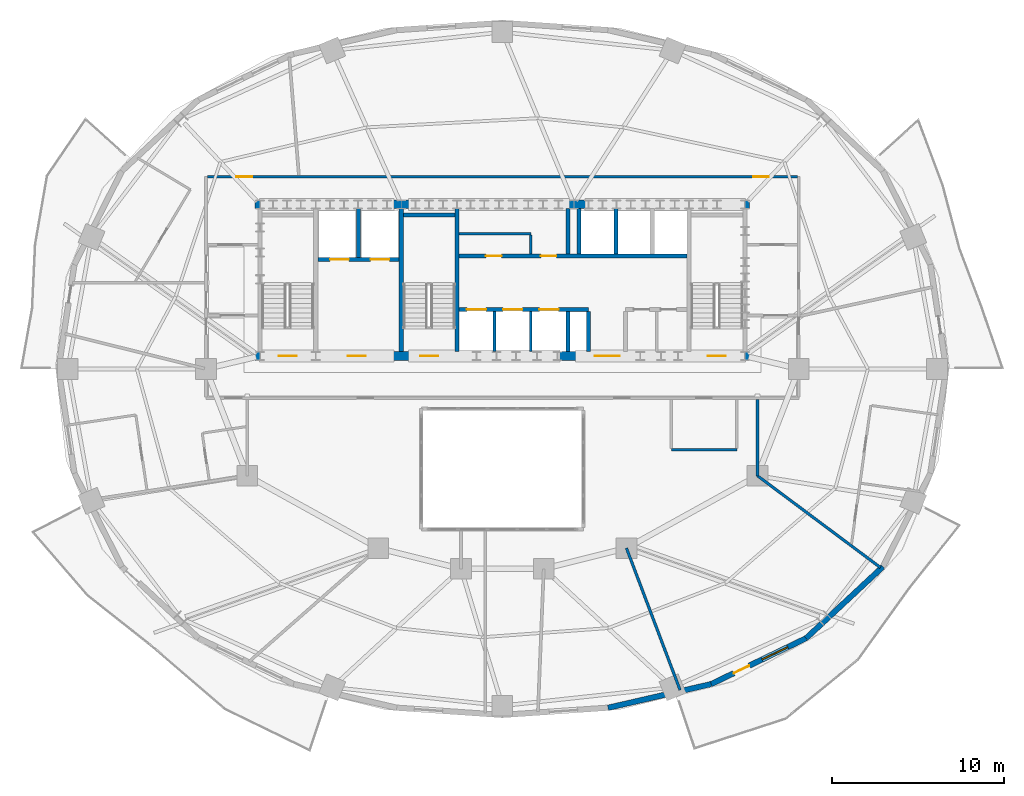
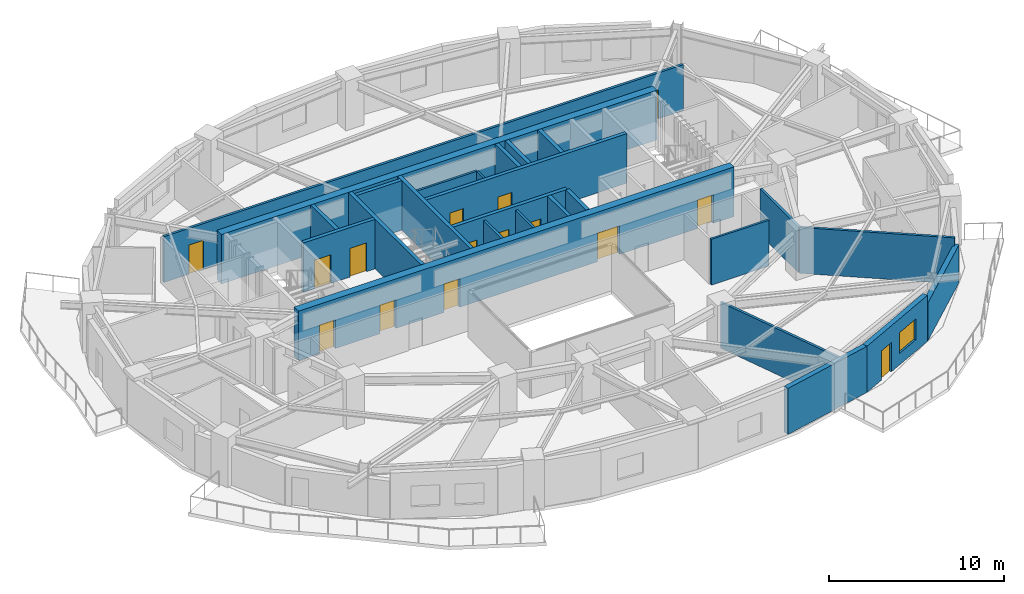
# One storey, part 7 of 12: 26 walls, 15 doors, 1 window, 16 openings.
"""IFC4 building model written with IfcOpenShell, lengths in metres."""

from ifc_helpers import new_model, si_unit, direction, frame, frame_2d, origin, place, context, subcontext, project, spatial, rectangle, extrude, material, layer, layer_set, type_object, element, fill, save


model = new_model("IFC4")

# Units and contexts
model_context = context("Model", 3, precision=1e-05, world=origin(), true_north=direction((0.0, 1.0)))
body_context = subcontext(model_context, "Body", "Model", "MODEL_VIEW")
ifc_project = project(units=[si_unit("LENGTHUNIT", "METRE"), si_unit("AREAUNIT", "SQUARE_METRE"), si_unit("VOLUMEUNIT", "CUBIC_METRE"), si_unit("PLANEANGLEUNIT", "RADIAN"), si_unit("MASSUNIT", "GRAM", prefix="KILO")], contexts=[model_context])

# Site, building, storey
site_placement = place(None, origin())
site = spatial("IfcSite", under=ifc_project, at=site_placement, CompositionType="ELEMENT")
building_placement = place(site_placement, origin())
building = spatial("IfcBuilding", under=site, at=building_placement, Name="Haldorwick Loom Tower", CompositionType="ELEMENT")
storey_placement = place(building_placement, frame((0.0, 0.0, 157.89990234375)))
storey = spatial("IfcBuildingStorey", under=building, at=storey_placement, Name="L42", CompositionType="ELEMENT", Elevation=157.89990234375)

# Wall
ifc_material_1 = material(Name="Pressed Clay Face Brick and Insulated Masonry Backup Assembly", Category="masonry")
ifc_layer_1 = layer(ifc_material_1, 0.320068359375, Name="Pressed Clay Face Brick and Insulated Masonry Backup Assembly", Category="masonry")
ifc_layer_set_1 = layer_set([ifc_layer_1], Name="Pressed Clay Face Brick and Insulated Masonry Backup Assembly")
wall_type_1 = type_object("IfcWallType", Name="ARC-WL-EXT320", PredefinedType="STANDARD", material=ifc_layer_set_1)
wall_1_placement = place(storey_placement, frame((42.12890625, 6.3359375, 0.0), z_axis=(0.0, 0.0, 1.0), x_axis=(0.974593223547, 0.223982250674, 0.0)))
element("IfcWall", 1, at=wall_1_placement, inside=storey, type_object=wall_type_1, Name="L42 Brick Pier and Spandrel Wall 20", PredefinedType="STANDARD", context=body_context, shape_type="SweptSolid", body=[
    extrude(rectangle(XDim=6.138916015625, YDim=0.320068359375, at=frame_2d((3.0693359375, 0.0))), origin(), (0.0, 0.0, 1.0), 3.210205078125),
])

# Wall, openings, door, window
wall_2_placement = place(storey_placement, frame((48.11181640625, 7.7109375, 0.0), z_axis=(0.0, 0.0, 1.0), x_axis=(0.900479976617, 0.434897472644, 0.0)))
wall_2 = element("IfcWall", 2, at=wall_2_placement, inside=storey, type_object=wall_type_1, Name="L42 Brick Pier and Spandrel Wall 21", PredefinedType="STANDARD", context=body_context, shape_type="SweptSolid", body=[
    extrude(rectangle(XDim=6.118408203125, YDim=0.320068359375, at=frame_2d((3.05908203125, 0.0))), origin(), (0.0, 0.0, 1.0), 3.210205078125),
])
opening_1_placement = place(wall_2_placement, frame((1.460693359375, 0.0, 0.0)))
opening_1 = element("IfcOpeningElement", 3, at=opening_1_placement, cuts=wall_2, Name="Opening D-BL10", PredefinedType="OPENING", context=body_context, shape_type="SweptSolid", body=[
    extrude(rectangle(XDim=1.0, YDim=2.0400390625, at=frame_2d((0.5, 1.02001953125))), frame((0.0, 0.169921875, 0.0), z_axis=(0.0, -1.0, 0.0), x_axis=(1.0, 0.0, 0.0)), (0.0, 0.0, 1.0), 0.340087890625),
])
opening_2_placement = place(wall_2_placement, frame((3.28662109375, 0.0, 0.800048828125)))
opening_2 = element("IfcOpeningElement", 4, at=opening_2_placement, cuts=wall_2, Name="Opening W-01B", PredefinedType="OPENING", context=body_context, shape_type="SweptSolid", body=[
    extrude(rectangle(XDim=1.64990234375, YDim=1.449951171875, at=frame_2d((0.824951171875, 0.72509765625))), frame((0.0, 0.169921875, 0.0), z_axis=(0.0, -1.0, 0.0), x_axis=(1.0, 0.0, 0.0)), (0.0, 0.0, 1.0), 0.340087890625),
])
ifc_material_2 = material(Name="Thermally Broken Anodized Aluminium Curtain Wall Framing", Category="aluminium")
door_type_1 = type_object("IfcDoorType", Name="ARC-DR-BAL100", OperationType="NOTDEFINED", PredefinedType="DOOR", material=ifc_material_2)
door_1_placement = place(opening_1_placement, origin())
door_1 = element("IfcDoor", 5, at=door_1_placement, inside=storey, type_object=door_type_1, Name="L42 Outdoor Terrace Door SLB-L42-BAL_SE", OperationType="SINGLE_SWING_RIGHT", OverallHeight=2.0400390625, OverallWidth=1.0, PredefinedType="DOOR", context=body_context, shape_type="SweptSolid", body=[
    extrude(rectangle(XDim=1.0, YDim=2.0400390625, at=frame_2d((0.5, 1.02001953125))), frame((0.0, 0.02490234375, 0.0), z_axis=(0.0, -1.0, 0.0), x_axis=(1.0, 0.0, 0.0)), (0.0, 0.0, 1.0), 0.050048828125),
])
fill(opening_1, door_1)
ifc_material_3 = material(Name="Triple-Glazed Low-E Argon Insulated Glazing Unit", Category="glass")
window_type = type_object("IfcWindowType", Name="ARC-WIN-W165", PartitioningType="SINGLE_PANEL", PredefinedType="WINDOW", material=ifc_material_3)
window_placement = place(opening_2_placement, origin())
window = element("IfcWindow", 6, at=window_placement, inside=storey, type_object=window_type, Name="L42 Deep-Set Zone 7A Window 21", OverallHeight=1.449951171875, OverallWidth=1.64990234375, PartitioningType="SINGLE_PANEL", PredefinedType="WINDOW", context=body_context, shape_type="SweptSolid", body=[
    extrude(rectangle(XDim=1.64990234375, YDim=1.449951171875, at=frame_2d((0.824951171875, 0.72509765625))), frame((0.0, 0.030029296875, 0.0), z_axis=(0.0, -1.0, 0.0), x_axis=(1.0, 0.0, 0.0)), (0.0, 0.0, 1.0), 0.06005859375),
])
fill(opening_2, window)

# Wall
wall_3_placement = place(storey_placement, frame((53.621337890625, 10.371826171875, 0.0), z_axis=(0.0, 0.0, 1.0), x_axis=(0.731982952968, 0.681322945866, 0.0)))
element("IfcWall", 7, at=wall_3_placement, inside=storey, type_object=wall_type_1, Name="L42 Brick Pier and Spandrel Wall 22", PredefinedType="STANDARD", context=body_context, shape_type="SweptSolid", body=[
    extrude(rectangle(XDim=6.086669921875, YDim=0.320068359375, at=frame_2d((3.04345703125, 0.0))), origin(), (0.0, 0.0, 1.0), 2.64111328125),
])

# Wall, openings, doors
ifc_material_4 = material(Name="Fire-Rated Type X Gypsum Stud Assembly EI 60")
ifc_layer_2 = layer(ifc_material_4, 0.159912109375, Name="Fire-Rated Type X Gypsum Stud Assembly EI 60")
ifc_layer_set_2 = layer_set([ifc_layer_2], Name="Fire-Rated Type X Gypsum Stud Assembly EI 60")
wall_type_2 = type_object("IfcWallType", Name="ARC-WL-FIRE160", PredefinedType="PARTITIONING", material=ifc_layer_set_2)
wall_4_placement = place(storey_placement, frame((18.883056640625, 37.14990234375, 0.0), z_axis=(0.0, 0.0, 1.0), x_axis=(1.0, 0.0, 0.0)))
wall_4 = element("IfcWall", 8, at=wall_4_placement, inside=storey, type_object=wall_type_2, Name="L42 Residential Fire Partition L42-CR-N0", PredefinedType="PARTITIONING", context=body_context, shape_type="SweptSolid", body=[
    extrude(rectangle(XDim=34.23388671875, YDim=0.159912109375, at=frame_2d((17.116943359375, 0.0))), origin(), (0.0, 0.0, 1.0), 3.195068359375),
])
opening_3_placement = place(wall_4_placement, frame((31.67431640625, 0.0, 0.0)))
opening_3 = element("IfcOpeningElement", 9, at=opening_3_placement, cuts=wall_4, Name="Opening D-FD60A", PredefinedType="OPENING", context=body_context, shape_type="SweptSolid", body=[
    extrude(rectangle(XDim=0.89990234375, YDim=2.0, at=frame_2d((0.449951171875, 1.0))), frame((0.0, 0.08984375, 0.0), z_axis=(0.0, -1.0, 0.0), x_axis=(1.0, 0.0, 0.0)), (0.0, 0.0, 1.0), 0.179931640625),
])
opening_4_placement = place(wall_4_placement, frame((1.663330078125, 0.0, 0.0)))
opening_4 = element("IfcOpeningElement", 10, at=opening_4_placement, cuts=wall_4, Name="Opening D-FL95", PredefinedType="OPENING", context=body_context, shape_type="SweptSolid", body=[
    extrude(rectangle(XDim=0.949951171875, YDim=2.0400390625, at=frame_2d((0.47509765625, 1.02001953125))), frame((0.0, 0.08984375, 0.0), z_axis=(0.0, -1.0, 0.0), x_axis=(1.0, 0.0, 0.0)), (0.0, 0.0, 1.0), 0.179931640625),
])
ifc_material_5 = material(Name="Hollow Steel Fire Door Assembly", Category="steel")
door_type_2 = type_object("IfcDoorType", Name="ARC-DR-FD60-90", OperationType="NOTDEFINED", PredefinedType="DOOR", material=ifc_material_5)
door_2_placement = place(opening_3_placement, frame((0.89990234375, 0.0, 0.0), z_axis=(0.0, 0.0, 1.0), x_axis=(-1.0, 0.0, 0.0)))
door_2 = element("IfcDoor", 11, at=door_2_placement, inside=storey, type_object=door_type_2, Name="L42 Co-Working Open Office 7 to L42 North Residential Corridor Door", OperationType="SINGLE_SWING_RIGHT", OverallHeight=2.0, OverallWidth=0.89990234375, PredefinedType="DOOR", context=body_context, shape_type="SweptSolid", body=[
    extrude(rectangle(XDim=0.89990234375, YDim=2.0, at=frame_2d((0.449951171875, 1.0))), frame((0.0, 0.02490234375, 0.0), z_axis=(0.0, -1.0, 0.0), x_axis=(1.0, 0.0, 0.0)), (0.0, 0.0, 1.0), 0.050048828125),
])
fill(opening_3, door_2)
ifc_material_6 = material(Name="Solid Core Birch Architectural Door")
door_type_3 = type_object("IfcDoorType", Name="ARC-DR-FLAT95", OperationType="NOTDEFINED", PredefinedType="DOOR", material=ifc_material_6)
door_3_placement = place(opening_4_placement, frame((0.949951171875, 0.0, 0.0), z_axis=(0.0, 0.0, 1.0), x_axis=(-1.0, 0.0, 0.0)))
door_3 = element("IfcDoor", 12, at=door_3_placement, inside=storey, type_object=door_type_3, Name="L42 Unit 42B Kitchen and Studio Living Room to L42 North Residential Cor", OperationType="SINGLE_SWING_RIGHT", OverallHeight=2.0400390625, OverallWidth=0.949951171875, PredefinedType="DOOR", context=body_context, shape_type="SweptSolid", body=[
    extrude(rectangle(XDim=0.949951171875, YDim=2.0400390625, at=frame_2d((0.47509765625, 1.02001953125))), frame((0.0, 0.02490234375, 0.0), z_axis=(0.0, -1.0, 0.0), x_axis=(1.0, 0.0, 0.0)), (0.0, 0.0, 1.0), 0.050048828125),
])
fill(opening_4, door_3)

# Walls
wall_5_placement = place(storey_placement, frame((50.800048828125, 19.800048828125, 0.0), z_axis=(0.0, 0.0, 1.0), x_axis=(0.801455478529, -0.598054442284, 0.0)))
element("IfcWall", 13, at=wall_5_placement, inside=storey, type_object=wall_type_2, Name="L42 Residential Fire Partition L42-ICR-02", PredefinedType="PARTITIONING", context=body_context, shape_type="SweptSolid", body=[
    extrude(rectangle(XDim=8.902587890625, YDim=0.159912109375, at=frame_2d((4.451171875, 0.0))), origin(), (0.0, 0.0, 1.0), 3.195068359375),
])
wall_6_placement = place(storey_placement, frame((43.199951171875, 15.60009765625, 0.0), z_axis=(0.0, 0.0, 1.0), x_axis=(0.353392479759, -0.935475149456, 0.0)))
element("IfcWall", 14, at=wall_6_placement, inside=storey, type_object=wall_type_2, Name="L42 Residential Fire Partition L42-ICR-04", PredefinedType="PARTITIONING", context=body_context, shape_type="SweptSolid", body=[
    extrude(rectangle(XDim=8.80419921875, YDim=0.159912109375, at=frame_2d((4.402099609375, 0.0))), origin(), (0.0, 0.0, 1.0), 3.195068359375),
])
wall_7_placement = place(storey_placement, frame((50.800048828125, 24.217041015625, 0.0), z_axis=(0.0, 0.0, 1.0), x_axis=(0.0, -1.0, 0.0)))
element("IfcWall", 15, at=wall_7_placement, inside=storey, type_object=wall_type_2, Name="L42 Residential Fire Partition L42-ICA-01", PredefinedType="PARTITIONING", context=body_context, shape_type="SweptSolid", body=[
    extrude(rectangle(XDim=4.4169921875, YDim=0.159912109375, at=frame_2d((2.20849609375, 0.0))), origin(), (0.0, 0.0, 1.0), 3.195068359375),
])
ifc_layer_3 = layer(ifc_material_4, 0.139892578125, Name="Fire-Rated Type X Gypsum Stud Assembly EI 60")
ifc_layer_set_3 = layer_set([ifc_layer_3], Name="Fire-Rated Type X Gypsum Stud Assembly EI 60")
wall_type_3 = type_object("IfcWallType", Name="ARC-WL-PART140", PredefinedType="PARTITIONING", material=ifc_layer_set_3)
wall_8_placement = place(storey_placement, frame((33.492919921875, 33.85009765625, 0.0), z_axis=(0.0, 0.0, 1.0), x_axis=(1.0, 0.0, 0.0)))
element("IfcWall", 16, at=wall_8_placement, inside=storey, type_object=wall_type_3, Name="L42 Storage South Partition", PredefinedType="PARTITIONING", context=body_context, shape_type="SweptSolid", body=[
    extrude(rectangle(XDim=4.156982421875, YDim=0.139892578125, at=frame_2d((2.07861328125, 0.0))), origin(), (0.0, 0.0, 1.0), 3.195068359375),
])
wall_9_placement = place(storey_placement, frame((37.64990234375, 32.673095703125, 0.0), z_axis=(0.0, 0.0, 1.0), x_axis=(0.0, 1.0, 0.0)))
element("IfcWall", 17, at=wall_9_placement, inside=storey, type_object=wall_type_3, Name="L42 Storage East Partition", PredefinedType="PARTITIONING", context=body_context, shape_type="SweptSolid", body=[
    extrude(rectangle(XDim=1.10400390625, YDim=0.139892578125, at=frame_2d((0.552001953125, 0.0))), origin(), (0.0, 0.0, 1.0), 3.195068359375),
])
wall_10_placement = place(storey_placement, frame((45.800048828125, 21.300048828125, 0.0), z_axis=(0.0, 0.0, 1.0), x_axis=(1.0, 0.0, 0.0)))
element("IfcWall", 18, at=wall_10_placement, inside=storey, type_object=wall_type_3, Name="L42 Residential Fire Partition L42-CWC-S", PredefinedType="PARTITIONING", context=body_context, shape_type="SweptSolid", body=[
    extrude(rectangle(XDim=3.800048828125, YDim=0.139892578125, at=frame_2d((1.89990234375, 0.0))), origin(), (0.0, 0.0, 1.0), 3.195068359375),
])
ifc_material_7 = material(Name="Fire-Rated Type X Gypsum Stud Assembly EI 120")
ifc_layer_4 = layer(ifc_material_7, 0.1650390625, Name="Fire-Rated Type X Gypsum Stud Assembly EI 120")
ifc_layer_set_4 = layer_set([ifc_layer_4], Name="Fire-Rated Type X Gypsum Stud Assembly EI 120")
wall_type_4 = type_object("IfcWallType", Name="ARC-WL-SHAFT160", PredefinedType="MOVABLE", material=ifc_layer_set_4)
for number, where, z_axis, x_axis, name in (
    (19, (35.550048828125, 27.0029296875, 0.0), (0.0, 0.0, 1.0), (0.0, 1.0, 0.0), "L42 Mid-Rise Hoistway Divider 1"),
    (20, (37.64990234375, 27.0029296875, 0.0), (0.0, 0.0, 1.0), (0.0, 1.0, 0.0), "L42 Mid-Rise Hoistway Divider 2"),
):
    element("IfcWall", number, at=place(storey_placement, frame(where, z_axis=z_axis, x_axis=x_axis)), inside=storey, type_object=wall_type_4, Name=name, PredefinedType="MOVABLE", context=body_context, shape_type="SweptSolid", body=[
        extrude(rectangle(XDim=2.323974609375, YDim=0.159912109375, at=frame_2d((1.162109375, 0.0))), origin(), (0.0, 0.0, 1.0), 3.195068359375),
    ])

# Wall, openings, doors
ifc_material_8 = material(Name="Concrete C60 (60 MPa)", Category="concrete")
ifc_layer_5 = layer(ifc_material_8, 0.5, Name="Concrete C60 (60 MPa)", Category="concrete")
ifc_layer_set_5 = layer_set([ifc_layer_5], Name="Concrete C60 (60 MPa)")
wall_type_5 = type_object("IfcWallType", Name="STR-WL-CORE500", PredefinedType="SHEAR", material=ifc_layer_set_5)
wall_11_placement = place(storey_placement, frame((21.64990234375, 26.75, 0.0), z_axis=(0.0, 0.0, 1.0), x_axis=(1.0, 0.0, 0.0)))
wall_11 = element("IfcWall", 21, at=wall_11_placement, inside=storey, type_object=wall_type_5, Name="L42 Core Shear Wall S", PredefinedType="SHEAR", context=body_context, shape_type="SweptSolid", body=[
    extrude(rectangle(XDim=28.7001953125, YDim=0.5, at=frame_2d((14.35009765625, 0.0))), origin(), (0.0, 0.0, 1.0), 3.4501953125),
])
opening_5_placement = place(wall_11_placement, frame((1.375, 0.0, 0.0)))
opening_5 = element("IfcOpeningElement", 22, at=opening_5_placement, cuts=wall_11, Name="Opening D-FD60", PredefinedType="OPENING", context=body_context, shape_type="SweptSolid", body=[
    extrude(rectangle(XDim=1.050048828125, YDim=2.0, at=frame_2d((0.52490234375, 1.0))), frame((0.0, 0.260009765625, 0.0), z_axis=(0.0, -1.0, 0.0), x_axis=(1.0, 0.0, 0.0)), (0.0, 0.0, 1.0), 0.52001953125),
])
opening_6_placement = place(wall_11_placement, frame((5.375, 0.0, 0.0)))
opening_6 = element("IfcOpeningElement", 23, at=opening_6_placement, cuts=wall_11, Name="Opening D-FD60", PredefinedType="OPENING", context=body_context, shape_type="SweptSolid", body=[
    extrude(rectangle(XDim=1.050048828125, YDim=2.0, at=frame_2d((0.52490234375, 1.0))), frame((0.0, 0.260009765625, 0.0), z_axis=(0.0, -1.0, 0.0), x_axis=(1.0, 0.0, 0.0)), (0.0, 0.0, 1.0), 0.52001953125),
])
opening_7_placement = place(wall_11_placement, frame((9.574951171875, 0.0, 0.0)))
opening_7 = element("IfcOpeningElement", 24, at=opening_7_placement, cuts=wall_11, Name="Opening D-FD60", PredefinedType="OPENING", context=body_context, shape_type="SweptSolid", body=[
    extrude(rectangle(XDim=1.050048828125, YDim=2.0, at=frame_2d((0.52490234375, 1.0))), frame((0.0, 0.260009765625, 0.0), z_axis=(0.0, -1.0, 0.0), x_axis=(1.0, 0.0, 0.0)), (0.0, 0.0, 1.0), 0.52001953125),
])
opening_8_placement = place(wall_11_placement, frame((19.705078125, 0.0, 0.0)))
opening_8 = element("IfcOpeningElement", 25, at=opening_8_placement, cuts=wall_11, Name="Opening D-LB15", PredefinedType="OPENING", context=body_context, shape_type="SweptSolid", body=[
    extrude(rectangle(XDim=1.449951171875, YDim=2.0, at=frame_2d((0.72509765625, 1.0))), frame((0.0, 0.260009765625, 0.0), z_axis=(0.0, -1.0, 0.0), x_axis=(1.0, 0.0, 0.0)), (0.0, 0.0, 1.0), 0.52001953125),
])
opening_9_placement = place(wall_11_placement, frame((26.27490234375, 0.0, 0.0)))
opening_9 = element("IfcOpeningElement", 26, at=opening_9_placement, cuts=wall_11, Name="Opening D-FD60", PredefinedType="OPENING", context=body_context, shape_type="SweptSolid", body=[
    extrude(rectangle(XDim=1.050048828125, YDim=2.0, at=frame_2d((0.52490234375, 1.0))), frame((0.0, 0.260009765625, 0.0), z_axis=(0.0, -1.0, 0.0), x_axis=(1.0, 0.0, 0.0)), (0.0, 0.0, 1.0), 0.52001953125),
])
door_type_4 = type_object("IfcDoorType", Name="ARC-DR-FD60", OperationType="NOTDEFINED", PredefinedType="DOOR", material=ifc_material_5)
door_4_placement = place(opening_5_placement, origin())
door_4 = element("IfcDoor", 27, at=door_4_placement, inside=storey, type_object=door_type_4, Name="L42 Exit Stair ST-01 Fire Door", OperationType="SINGLE_SWING_RIGHT", OverallHeight=2.0, OverallWidth=1.050048828125, PredefinedType="DOOR", context=body_context, shape_type="SweptSolid", body=[
    extrude(rectangle(XDim=1.050048828125, YDim=2.0, at=frame_2d((0.52490234375, 1.0))), frame((0.0, 0.02490234375, 0.0), z_axis=(0.0, -1.0, 0.0), x_axis=(1.0, 0.0, 0.0)), (0.0, 0.0, 1.0), 0.050048828125),
])
fill(opening_5, door_4)
door_5_placement = place(opening_6_placement, origin())
door_5 = element("IfcDoor", 28, at=door_5_placement, inside=storey, type_object=door_type_4, Name="L42 Firefighting Lift Lobby Fire Door", OperationType="SINGLE_SWING_LEFT", OverallHeight=2.0, OverallWidth=1.050048828125, PredefinedType="DOOR", context=body_context, shape_type="SweptSolid", body=[
    extrude(rectangle(XDim=1.050048828125, YDim=2.0, at=frame_2d((0.52490234375, 1.0))), frame((0.0, 0.02490234375, 0.0), z_axis=(0.0, -1.0, 0.0), x_axis=(1.0, 0.0, 0.0)), (0.0, 0.0, 1.0), 0.050048828125),
])
fill(opening_6, door_5)
door_6_placement = place(opening_7_placement, origin())
door_6 = element("IfcDoor", 29, at=door_6_placement, inside=storey, type_object=door_type_4, Name="L42 Exit Stair ST-03 Fire Door", OperationType="SINGLE_SWING_LEFT", OverallHeight=2.0, OverallWidth=1.050048828125, PredefinedType="DOOR", context=body_context, shape_type="SweptSolid", body=[
    extrude(rectangle(XDim=1.050048828125, YDim=2.0, at=frame_2d((0.52490234375, 1.0))), frame((0.0, 0.02490234375, 0.0), z_axis=(0.0, -1.0, 0.0), x_axis=(1.0, 0.0, 0.0)), (0.0, 0.0, 1.0), 0.050048828125),
])
fill(opening_7, door_6)
door_7_placement = place(opening_9_placement, origin())
door_7 = element("IfcDoor", 30, at=door_7_placement, inside=storey, type_object=door_type_4, Name="L42 Exit Stair ST-02 Fire Door", OperationType="SINGLE_SWING_LEFT", OverallHeight=2.0, OverallWidth=1.050048828125, PredefinedType="DOOR", context=body_context, shape_type="SweptSolid", body=[
    extrude(rectangle(XDim=1.050048828125, YDim=2.0, at=frame_2d((0.52490234375, 1.0))), frame((0.0, 0.02490234375, 0.0), z_axis=(0.0, -1.0, 0.0), x_axis=(1.0, 0.0, 0.0)), (0.0, 0.0, 1.0), 0.050048828125),
])
fill(opening_9, door_7)
ifc_material_9 = material(Name="Thermally Broken Anodized Aluminium and Tempered Glass", Category="aluminium")
door_type_5 = type_object("IfcDoorType", Name="ARC-DR-LOB150", OperationType="NOTDEFINED", PredefinedType="DOOR", material=ifc_material_9)
door_8_placement = place(opening_8_placement, frame((1.449951171875, 0.0, 0.0), z_axis=(0.0, 0.0, 1.0), x_axis=(-1.0, 0.0, 0.0)))
door_8 = element("IfcDoor", 31, at=door_8_placement, inside=storey, type_object=door_type_5, Name="L42 Passenger Lift Lobby Fire Door", OperationType="DOUBLE_DOOR_SINGLE_SWING", OverallHeight=2.0, OverallWidth=1.449951171875, PredefinedType="DOOR", context=body_context, shape_type="SweptSolid", body=[
    extrude(rectangle(XDim=1.449951171875, YDim=2.0, at=frame_2d((0.72509765625, 1.0))), frame((0.0, 0.02490234375, 0.0), z_axis=(0.0, -1.0, 0.0), x_axis=(1.0, 0.0, 0.0)), (0.0, 0.0, 1.0), 0.050048828125),
])
fill(opening_8, door_8)

# Walls
wall_12_placement = place(storey_placement, frame((50.35009765625, 35.550048828125, 0.0), z_axis=(0.0, 0.0, 1.0), x_axis=(-1.0, 0.0, 0.0)))
element("IfcWall", 32, at=wall_12_placement, inside=storey, type_object=wall_type_5, Name="L42 Core Shear Wall N", PredefinedType="SHEAR", context=body_context, shape_type="SweptSolid", body=[
    extrude(rectangle(XDim=28.7001953125, YDim=0.5, at=frame_2d((14.35009765625, 0.0))), origin(), (0.0, 0.0, 1.0), 3.4501953125),
])
ifc_material_10 = material(Name="Concrete C50 (50 MPa)", Category="concrete")
ifc_layer_6 = layer(ifc_material_10, 0.239990234375, Name="Concrete C50 (50 MPa)", Category="concrete")
ifc_layer_set_6 = layer_set([ifc_layer_6], Name="Concrete C50 (50 MPa)")
wall_type_6 = type_object("IfcWallType", Name="STR-WL-SHAFT240", PredefinedType="SHEAR", material=ifc_layer_set_6)
for number, where, z_axis, x_axis, name in (
    (33, (30.1298828125, 27.0029296875, 0.0), (0.0, 0.0, 1.0), (0.0, 1.0, 0.0), "L42 Core Shear Wall 2"),
    (34, (33.3701171875, 27.0029296875, 0.0), (0.0, 0.0, 1.0), (0.0, 1.0, 0.0), "L42 Core Shear Wall 3"),
):
    element("IfcWall", number, at=place(storey_placement, frame(where, z_axis=z_axis, x_axis=x_axis)), inside=storey, type_object=wall_type_6, Name=name, PredefinedType="SHEAR", context=body_context, shape_type="SweptSolid", body=[
        extrude(rectangle(XDim=8.294189453125, YDim=0.239990234375, at=frame_2d((4.14697265625, 0.0))), origin(), (0.0, 0.0, 1.0), 3.4501953125),
    ])
wall_13_placement = place(storey_placement, frame((30.2529296875, 34.919921875, 0.0), z_axis=(0.0, 0.0, 1.0), x_axis=(1.0, 0.0, 0.0)))
element("IfcWall", 35, at=wall_13_placement, inside=storey, type_object=wall_type_6, Name="L42 Core Shear Wall 3N", PredefinedType="SHEAR", context=body_context, shape_type="SweptSolid", body=[
    extrude(rectangle(XDim=2.994140625, YDim=0.239990234375, at=frame_2d((1.4970703125, 0.0))), origin(), (0.0, 0.0, 1.0), 3.4501953125),
])

# Wall, openings, doors
wall_14_placement = place(storey_placement, frame((25.29296875, 32.35009765625, 0.0), z_axis=(0.0, 0.0, 1.0), x_axis=(1.0, 0.0, 0.0)))
wall_14 = element("IfcWall", 36, at=wall_14_placement, inside=storey, type_object=wall_type_6, Name="L42 Core Shear Wall FF", PredefinedType="SHEAR", context=body_context, shape_type="SweptSolid", body=[
    extrude(rectangle(XDim=4.714111328125, YDim=0.239990234375, at=frame_2d((2.35693359375, 0.0))), origin(), (0.0, 0.0, 1.0), 3.4501953125),
])
opening_10_placement = place(wall_14_placement, frame((0.70703125, 0.0, 0.0)))
opening_10 = element("IfcOpeningElement", 37, at=opening_10_placement, cuts=wall_14, Name="Opening LD-FF1", PredefinedType="OPENING", context=body_context, shape_type="SweptSolid", body=[
    extrude(rectangle(XDim=1.10009765625, YDim=2.0, at=frame_2d((0.550048828125, 1.0))), frame((0.0, 0.1298828125, 0.0), z_axis=(0.0, -1.0, 0.0), x_axis=(1.0, 0.0, 0.0)), (0.0, 0.0, 1.0), 0.260009765625),
])
opening_11_placement = place(wall_14_placement, frame((3.056884765625, 0.0, 0.0)))
opening_11 = element("IfcOpeningElement", 38, at=opening_11_placement, cuts=wall_14, Name="Opening LD-FF2", PredefinedType="OPENING", context=body_context, shape_type="SweptSolid", body=[
    extrude(rectangle(XDim=1.10009765625, YDim=2.0, at=frame_2d((0.550048828125, 1.0))), frame((0.0, 0.1298828125, 0.0), z_axis=(0.0, -1.0, 0.0), x_axis=(1.0, 0.0, 0.0)), (0.0, 0.0, 1.0), 0.260009765625),
])
door_type_6 = type_object("IfcDoorType", Name="ARC-DR-LD-FF", OperationType="NOTDEFINED", PredefinedType="USERDEFINED", material=ifc_material_5)
door_9_placement = place(opening_10_placement, origin())
door_9 = element("IfcDoor", 39, at=door_9_placement, inside=storey, type_object=door_type_6, Name="L42 Lift LF-FF1 Sliding Landing Door", ObjectType="LANDING DOOR", OperationType="DOUBLE_DOOR_SLIDING", OverallHeight=2.0, OverallWidth=1.10009765625, PredefinedType="USERDEFINED", context=body_context, shape_type="SweptSolid", body=[
    extrude(rectangle(XDim=1.10009765625, YDim=2.0, at=frame_2d((0.550048828125, 1.0))), frame((0.0, 0.02490234375, 0.0), z_axis=(0.0, -1.0, 0.0), x_axis=(1.0, 0.0, 0.0)), (0.0, 0.0, 1.0), 0.050048828125),
])
fill(opening_10, door_9)
door_10_placement = place(opening_11_placement, origin())
door_10 = element("IfcDoor", 40, at=door_10_placement, inside=storey, type_object=door_type_6, Name="L42 Lift LF-FF2 Sliding Landing Door", ObjectType="LANDING DOOR", OperationType="DOUBLE_DOOR_SLIDING", OverallHeight=2.0, OverallWidth=1.10009765625, PredefinedType="USERDEFINED", context=body_context, shape_type="SweptSolid", body=[
    extrude(rectangle(XDim=1.10009765625, YDim=2.0, at=frame_2d((0.550048828125, 1.0))), frame((0.0, 0.02490234375, 0.0), z_axis=(0.0, -1.0, 0.0), x_axis=(1.0, 0.0, 0.0)), (0.0, 0.0, 1.0), 0.050048828125),
])
fill(opening_11, door_10)

# Wall
wall_15_placement = place(storey_placement, frame((27.64990234375, 32.472900390625, 0.0), z_axis=(0.0, 0.0, 1.0), x_axis=(0.0, 1.0, 0.0)))
element("IfcWall", 41, at=wall_15_placement, inside=storey, type_object=wall_type_6, Name="L42 Core Shear Wall FFD", PredefinedType="SHEAR", context=body_context, shape_type="SweptSolid", body=[
    extrude(rectangle(XDim=2.82421875, YDim=0.239990234375, at=frame_2d((1.412109375, 0.0))), origin(), (0.0, 0.0, 1.0), 3.4501953125),
])

# Wall, openings, doors
wall_16_placement = place(storey_placement, frame((33.492919921875, 32.550048828125, 0.0), z_axis=(0.0, 0.0, 1.0), x_axis=(1.0, 0.0, 0.0)))
wall_16 = element("IfcWall", 42, at=wall_16_placement, inside=storey, type_object=wall_type_6, Name="L42 Core Shear Wall LN", PredefinedType="SHEAR", context=body_context, shape_type="SweptSolid", body=[
    extrude(rectangle(XDim=13.214111328125, YDim=0.239990234375, at=frame_2d((6.60693359375, 0.0))), origin(), (0.0, 0.0, 1.0), 3.4501953125),
])
opening_12_placement = place(wall_16_placement, frame((1.556884765625, 0.0, 0.0)))
opening_12 = element("IfcOpeningElement", 43, at=opening_12_placement, cuts=wall_16, Name="Opening D-FD60A", PredefinedType="OPENING", context=body_context, shape_type="SweptSolid", body=[
    extrude(rectangle(XDim=0.89990234375, YDim=2.0, at=frame_2d((0.449951171875, 1.0))), frame((0.0, 0.1298828125, 0.0), z_axis=(0.0, -1.0, 0.0), x_axis=(1.0, 0.0, 0.0)), (0.0, 0.0, 1.0), 0.260009765625),
])
opening_13_placement = place(wall_16_placement, frame((4.737060546875, 0.0, 0.0)))
opening_13 = element("IfcOpeningElement", 44, at=opening_13_placement, cuts=wall_16, Name="Opening D-FD60A", PredefinedType="OPENING", context=body_context, shape_type="SweptSolid", body=[
    extrude(rectangle(XDim=0.89990234375, YDim=2.0, at=frame_2d((0.449951171875, 1.0))), frame((0.0, 0.1298828125, 0.0), z_axis=(0.0, -1.0, 0.0), x_axis=(1.0, 0.0, 0.0)), (0.0, 0.0, 1.0), 0.260009765625),
])
door_11_placement = place(opening_12_placement, frame((0.89990234375, 0.0, 0.0), z_axis=(0.0, 0.0, 1.0), x_axis=(-1.0, 0.0, 0.0)))
door_11 = element("IfcDoor", 45, at=door_11_placement, inside=storey, type_object=door_type_2, Name="L42 Resident Storage Door", OperationType="SINGLE_SWING_LEFT", OverallHeight=2.0, OverallWidth=0.89990234375, PredefinedType="DOOR", context=body_context, shape_type="SweptSolid", body=[
    extrude(rectangle(XDim=0.89990234375, YDim=2.0, at=frame_2d((0.449951171875, 1.0))), frame((0.0, 0.02490234375, 0.0), z_axis=(0.0, -1.0, 0.0), x_axis=(1.0, 0.0, 0.0)), (0.0, 0.0, 1.0), 0.050048828125),
])
fill(opening_12, door_11)
door_12_placement = place(opening_13_placement, frame((0.89990234375, 0.0, 0.0), z_axis=(0.0, 0.0, 1.0), x_axis=(-1.0, 0.0, 0.0)))
door_12 = element("IfcDoor", 46, at=door_12_placement, inside=storey, type_object=door_type_2, Name="L42 Laundry Door", OperationType="SINGLE_SWING_RIGHT", OverallHeight=2.0, OverallWidth=0.89990234375, PredefinedType="DOOR", context=body_context, shape_type="SweptSolid", body=[
    extrude(rectangle(XDim=0.89990234375, YDim=2.0, at=frame_2d((0.449951171875, 1.0))), frame((0.0, 0.02490234375, 0.0), z_axis=(0.0, -1.0, 0.0), x_axis=(1.0, 0.0, 0.0)), (0.0, 0.0, 1.0), 0.050048828125),
])
fill(opening_13, door_12)

wall_17_placement = place(storey_placement, frame((33.492919921875, 29.449951171875, 0.0), z_axis=(0.0, 0.0, 1.0), x_axis=(1.0, 0.0, 0.0)))
wall_17 = element("IfcWall", 47, at=wall_17_placement, inside=storey, type_object=wall_type_6, Name="L42 Core Shear Wall LS1", PredefinedType="SHEAR", context=body_context, shape_type="SweptSolid", body=[
    extrude(rectangle(XDim=7.507080078125, YDim=0.239990234375, at=frame_2d((3.75341796875, 0.0))), origin(), (0.0, 0.0, 1.0), 3.4501953125),
])
opening_14_placement = place(wall_17_placement, frame((0.447021484375, 0.0, 0.0)))
opening_14 = element("IfcOpeningElement", 48, at=opening_14_placement, cuts=wall_17, Name="Opening LD-M1", PredefinedType="OPENING", context=body_context, shape_type="SweptSolid", body=[
    extrude(rectangle(XDim=1.1201171875, YDim=2.0, at=frame_2d((0.56005859375, 1.0))), frame((0.0, 0.1298828125, 0.0), z_axis=(0.0, -1.0, 0.0), x_axis=(1.0, 0.0, 0.0)), (0.0, 0.0, 1.0), 0.260009765625),
])
opening_15_placement = place(wall_17_placement, frame((2.547119140625, 0.0, 0.0)))
opening_15 = element("IfcOpeningElement", 49, at=opening_15_placement, cuts=wall_17, Name="Opening LD-M2", PredefinedType="OPENING", context=body_context, shape_type="SweptSolid", body=[
    extrude(rectangle(XDim=1.1201171875, YDim=2.0, at=frame_2d((0.56005859375, 1.0))), frame((0.0, 0.1298828125, 0.0), z_axis=(0.0, -1.0, 0.0), x_axis=(1.0, 0.0, 0.0)), (0.0, 0.0, 1.0), 0.260009765625),
])
opening_16_placement = place(wall_17_placement, frame((4.64697265625, 0.0, 0.0)))
opening_16 = element("IfcOpeningElement", 50, at=opening_16_placement, cuts=wall_17, Name="Opening LD-M3", PredefinedType="OPENING", context=body_context, shape_type="SweptSolid", body=[
    extrude(rectangle(XDim=1.1201171875, YDim=2.0, at=frame_2d((0.56005859375, 1.0))), frame((0.0, 0.1298828125, 0.0), z_axis=(0.0, -1.0, 0.0), x_axis=(1.0, 0.0, 0.0)), (0.0, 0.0, 1.0), 0.260009765625),
])
door_type_7 = type_object("IfcDoorType", Name="ARC-DR-LD-PAX", OperationType="NOTDEFINED", PredefinedType="USERDEFINED", material=ifc_material_5)
door_13_placement = place(opening_14_placement, origin())
door_13 = element("IfcDoor", 51, at=door_13_placement, inside=storey, type_object=door_type_7, Name="L42 Lift LF-M1 Sliding Landing Door", ObjectType="LANDING DOOR", OperationType="DOUBLE_DOOR_SLIDING", OverallHeight=2.0, OverallWidth=1.1201171875, PredefinedType="USERDEFINED", context=body_context, shape_type="SweptSolid", body=[
    extrude(rectangle(XDim=1.1201171875, YDim=2.0, at=frame_2d((0.56005859375, 1.0))), frame((0.0, 0.02490234375, 0.0), z_axis=(0.0, -1.0, 0.0), x_axis=(1.0, 0.0, 0.0)), (0.0, 0.0, 1.0), 0.050048828125),
])
fill(opening_14, door_13)
door_14_placement = place(opening_15_placement, origin())
door_14 = element("IfcDoor", 52, at=door_14_placement, inside=storey, type_object=door_type_7, Name="L42 Lift LF-M2 Sliding Landing Door", ObjectType="LANDING DOOR", OperationType="DOUBLE_DOOR_SLIDING", OverallHeight=2.0, OverallWidth=1.1201171875, PredefinedType="USERDEFINED", context=body_context, shape_type="SweptSolid", body=[
    extrude(rectangle(XDim=1.1201171875, YDim=2.0, at=frame_2d((0.56005859375, 1.0))), frame((0.0, 0.02490234375, 0.0), z_axis=(0.0, -1.0, 0.0), x_axis=(1.0, 0.0, 0.0)), (0.0, 0.0, 1.0), 0.050048828125),
])
fill(opening_15, door_14)
door_15_placement = place(opening_16_placement, origin())
door_15 = element("IfcDoor", 53, at=door_15_placement, inside=storey, type_object=door_type_7, Name="L42 Lift LF-M3 Sliding Landing Door", ObjectType="LANDING DOOR", OperationType="DOUBLE_DOOR_SLIDING", OverallHeight=2.0, OverallWidth=1.1201171875, PredefinedType="USERDEFINED", context=body_context, shape_type="SweptSolid", body=[
    extrude(rectangle(XDim=1.1201171875, YDim=2.0, at=frame_2d((0.56005859375, 1.0))), frame((0.0, 0.02490234375, 0.0), z_axis=(0.0, -1.0, 0.0), x_axis=(1.0, 0.0, 0.0)), (0.0, 0.0, 1.0), 0.050048828125),
])
fill(opening_16, door_15)

# Walls
wall_18_placement = place(storey_placement, frame((41.0, 27.0029296875, 0.0), z_axis=(0.0, 0.0, 1.0), x_axis=(0.0, 1.0, 0.0)))
element("IfcWall", 54, at=wall_18_placement, inside=storey, type_object=wall_type_6, Name="L42 Core Shear Wall THW", PredefinedType="SHEAR", context=body_context, shape_type="SweptSolid", body=[
    extrude(rectangle(XDim=2.323974609375, YDim=0.239990234375, at=frame_2d((1.162109375, 0.0))), origin(), (0.0, 0.0, 1.0), 3.4501953125),
])
for number, where, z_axis, x_axis, name in (
    (55, (39.800048828125, 32.673095703125, 0.0), (0.0, 0.0, 1.0), (0.0, 1.0, 0.0), "L42 Core Shear Wall LHW"),
    (56, (40.449951171875, 32.673095703125, 0.0), (0.0, 0.0, 1.0), (0.0, 1.0, 0.0), "L42 Core Shear Wall H0"),
    (57, (42.60009765625, 32.673095703125, 0.0), (0.0, 0.0, 1.0), (0.0, 1.0, 0.0), "L42 Core Shear Wall H1"),
):
    element("IfcWall", number, at=place(storey_placement, frame(where, z_axis=z_axis, x_axis=x_axis)), inside=storey, type_object=wall_type_6, Name=name, PredefinedType="SHEAR", context=body_context, shape_type="SweptSolid", body=[
        extrude(rectangle(XDim=2.6240234375, YDim=0.239990234375, at=frame_2d((1.31201171875, 0.0))), origin(), (0.0, 0.0, 1.0), 3.4501953125),
    ])
wall_19_placement = place(storey_placement, frame((39.800048828125, 27.0029296875, 0.0), z_axis=(0.0, 0.0, 1.0), x_axis=(0.0, 1.0, 0.0)))
element("IfcWall", 58, at=wall_19_placement, inside=storey, type_object=wall_type_6, Name="L42 Core Shear Wall MRW", PredefinedType="SHEAR", context=body_context, shape_type="SweptSolid", body=[
    extrude(rectangle(XDim=2.323974609375, YDim=0.239990234375, at=frame_2d((1.162109375, 0.0))), origin(), (0.0, 0.0, 1.0), 3.4501953125),
])

save(model, "model.ifc")
